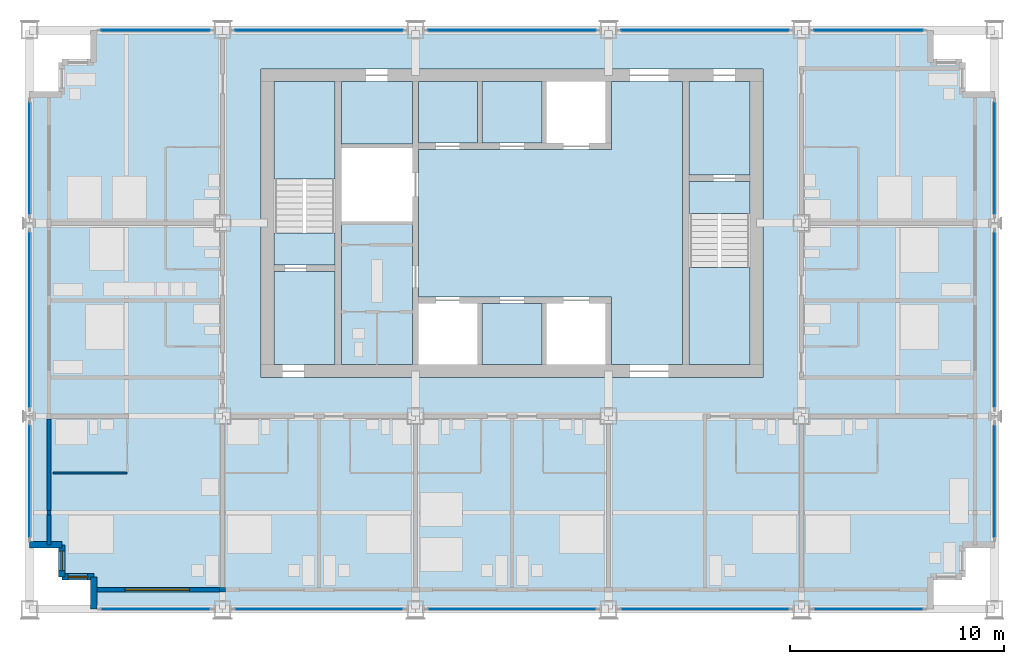
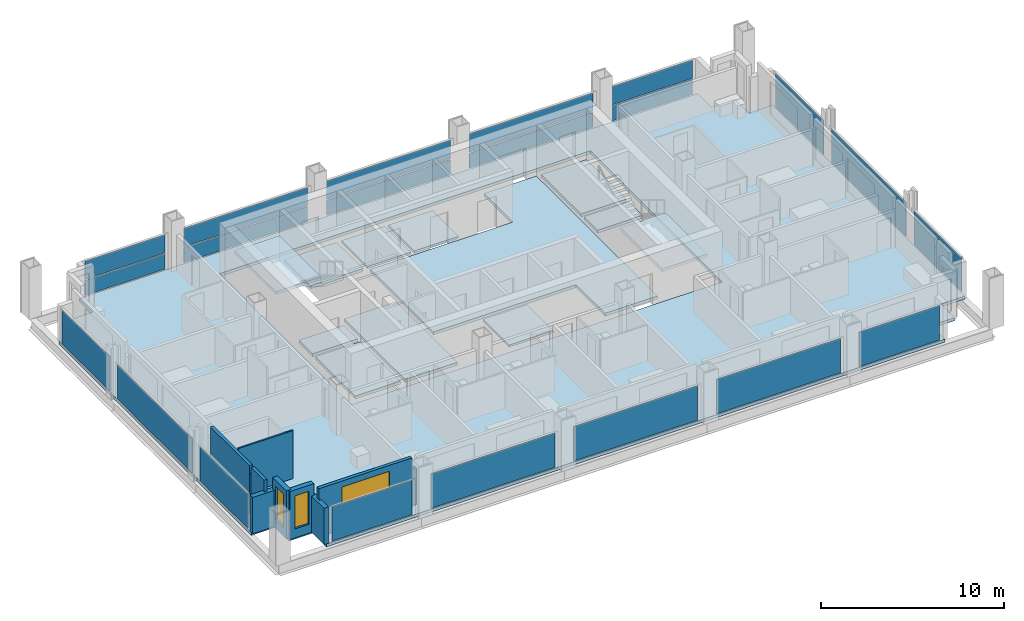
# One storey, part 6 of 14: 21 plates, 13 slabs, 10 walls, 3 windows, 3 openings, 18 elements without a shape of their own.
"""IFC4 building model written with IfcOpenShell, lengths in metres."""

from ifc_helpers import new_model, si_unit, direction, frame, frame_2d, origin, origin_2d, place, context, subcontext, project, spatial, polyline, rectangle, outline, extrude, material, layer, layer_set, type_object, element, fill, aggregate, save


model = new_model("IFC4")

# Units and contexts
model_context = context("Model", 3, precision=1e-05, world=origin(), true_north=direction((0.0, 1.0)))
body_context = subcontext(model_context, "Body", "Model", "MODEL_VIEW")
ifc_project = project(units=[si_unit("LENGTHUNIT", "METRE"), si_unit("AREAUNIT", "SQUARE_METRE"), si_unit("VOLUMEUNIT", "CUBIC_METRE"), si_unit("PLANEANGLEUNIT", "RADIAN"), si_unit("MASSUNIT", "GRAM", prefix="KILO")], contexts=[model_context])

# Site, building, storey
site_placement = place(None, origin())
site = spatial("IfcSite", under=ifc_project, at=site_placement, CompositionType="ELEMENT")
building_placement = place(site_placement, origin())
building = spatial("IfcBuilding", under=site, at=building_placement, Name="Loomwork Tower", CompositionType="ELEMENT")
storey_placement = place(building_placement, frame((0.0, 0.0, 170.60009765625)))
storey = spatial("IfcBuildingStorey", under=building, at=storey_placement, Name="L46", CompositionType="ELEMENT", Elevation=170.60009765625)

# Slabs
ifc_material_1 = material(Name="Concrete 5000 psi (34 MPa) on composite metal deck", Category="concrete")
ifc_layer_1 = layer(ifc_material_1, 0.199951171875)
ifc_layer_set_1 = layer_set([ifc_layer_1], Name="Floor slab 200")
slab_type_1 = type_object("IfcSlabType", Name="Floor slab 200", PredefinedType="FLOOR", material=ifc_layer_set_1)
slab_1_placement = place(storey_placement, frame((0.0, 0.0, -0.2001953125)))
element("IfcSlab", 1, at=slab_1_placement, inside=storey, type_object=slab_type_1, Name="Floor slab L46", PredefinedType="FLOOR", context=body_context, shape_type="SweptSolid", body=[
    extrude(outline(polyline([(3.0, 1.5), (1.5, 1.5), (1.5, 3.0), (0.0, 3.0), (0.0, 24.0), (1.5, 24.0), (1.5, 25.5), (3.0, 25.5), (3.0, 27.0), (42.0, 27.0), (42.0, 25.5), (43.5, 25.5), (43.5, 24.0), (45.0, 24.0), (45.0, 3.0), (43.5, 3.0), (43.5, 1.5), (42.0, 1.5), (42.0, 0.0), (3.0, 0.0), (3.0, 1.5)]), holes=[polyline([(10.800048828125, 11.39990234375), (10.800048828125, 11.39990234375), (10.800048828125, 10.800048828125), (34.199951171875, 10.800048828125), (34.199951171875, 11.39990234375), (34.199951171875, 11.39990234375), (34.199951171875, 24.60009765625), (34.199951171875, 25.199951171875), (10.800048828125, 25.199951171875), (10.800048828125, 24.60009765625), (10.800048828125, 11.39990234375)])]), origin(), (0.0, 0.0, 1.0), 0.2001953125),
])
slab_2_placement = place(storey_placement, frame((0.0, 0.0, -0.2001953125)))
element("IfcSlab", 2, at=slab_2_placement, inside=storey, type_object=slab_type_1, Name="Floor slab L46", PredefinedType="FLOOR", context=body_context, shape_type="SweptSolid", body=[
    extrude(outline(polyline([(30.449951171875, 24.60009765625), (30.449951171875, 11.39990234375), (27.14990234375, 11.39990234375), (27.14990234375, 14.25), (27.14990234375, 14.550048828125), (18.14990234375, 14.550048828125), (18.14990234375, 21.449951171875), (27.14990234375, 21.449951171875), (27.14990234375, 21.75), (27.14990234375, 24.60009765625), (30.449951171875, 24.60009765625)])), origin(), (0.0, 0.0, 1.0), 0.2001953125),
])
slab_3_placement = place(storey_placement, frame((0.0, 0.0, -0.2001953125)))
element("IfcSlab", 3, at=slab_3_placement, inside=storey, type_object=slab_type_1, Name="Floor slab L46", PredefinedType="FLOOR", context=body_context, shape_type="SweptSolid", body=[
    extrude(outline(polyline([(14.550048828125, 11.39990234375), (14.550048828125, 18.074951171875), (17.85009765625, 18.074951171875), (17.85009765625, 11.39990234375), (14.550048828125, 11.39990234375)])), origin(), (0.0, 0.0, 1.0), 0.2001953125),
])
slab_4_placement = place(storey_placement, frame((0.0, 0.0, -0.2001953125)))
element("IfcSlab", 4, at=slab_4_placement, inside=storey, type_object=slab_type_1, Name="Floor slab L46", PredefinedType="FLOOR", context=body_context, shape_type="SweptSolid", body=[
    extrude(outline(polyline([(33.60009765625, 20.25), (30.75, 20.25), (30.75, 24.60009765625), (33.60009765625, 24.60009765625), (33.60009765625, 20.25)])), origin(), (0.0, 0.0, 1.0), 0.2001953125),
])
slab_5_placement = place(storey_placement, frame((0.0, 0.0, -0.2001953125)))
element("IfcSlab", 5, at=slab_5_placement, inside=storey, type_object=slab_type_1, Name="Floor slab L46", PredefinedType="FLOOR", context=body_context, shape_type="SweptSolid", body=[
    extrude(outline(polyline([(14.25, 15.75), (14.25, 11.39990234375), (11.39990234375, 11.39990234375), (11.39990234375, 15.75), (14.25, 15.75)])), origin(), (0.0, 0.0, 1.0), 0.2001953125),
])
slab_6_placement = place(storey_placement, frame((0.0, 0.0, -0.2001953125)))
element("IfcSlab", 6, at=slab_6_placement, inside=storey, type_object=slab_type_1, Name="Floor slab L46", PredefinedType="FLOOR", context=body_context, shape_type="SweptSolid", body=[
    extrude(outline(polyline([(14.550048828125, 21.699951171875), (14.550048828125, 24.60009765625), (17.85009765625, 24.60009765625), (17.85009765625, 21.699951171875), (14.550048828125, 21.699951171875)])), origin(), (0.0, 0.0, 1.0), 0.2001953125),
])

# Curtain wall, plate
ifc_material_2 = material(Name="Aluminium curtain wall frame", Category="aluminium")
curtain_wall_type_1 = type_object("IfcCurtainWallType", Name="Outer skin glazing hotel", PredefinedType="NOTDEFINED", material=ifc_material_2)
curtain_wall_1_placement = place(storey_placement, origin())
curtain_wall_1 = element("IfcCurtainWall", 7, at=curtain_wall_1_placement, inside=storey, type_object=curtain_wall_type_1, Name="Outer skin glazing hotel cw/S-0", PredefinedType="NOTDEFINED")
ifc_material_3 = material(Name="Clear laminated glass", Category="glass")
ifc_layer_2 = layer(ifc_material_3, 0.02392578125)
ifc_layer_set_2 = layer_set([ifc_layer_2], Name="Outer skin glazing hotel panel")
plate_type_1 = type_object("IfcPlateType", Name="Outer skin glazing hotel panel", PredefinedType="CURTAIN_PANEL", material=ifc_layer_set_2)
plate_1_placement = place(storey_placement, frame((5.875, 0.0, 0.06494140625), z_axis=(0.0, 0.0, 1.0), x_axis=(1.0, 0.0, 0.0)))
plate_1 = element("IfcPlate", 8, at=plate_1_placement, type_object=plate_type_1, Name="CW1 panel 1.1", PredefinedType="CURTAIN_PANEL", context=body_context, shape_type="SweptSolid", body=[
    extrude(rectangle(XDim=5.050048828125, YDim=0.02392578125, at=origin_2d()), origin(), (0.0, 0.0, 1.0), 2.290283203125),
])
aggregate(curtain_wall_1, [plate_1])

curtain_wall_2_placement = place(storey_placement, origin())
curtain_wall_2 = element("IfcCurtainWall", 9, at=curtain_wall_2_placement, inside=storey, type_object=curtain_wall_type_1, Name="Outer skin glazing hotel cw/S-9", PredefinedType="NOTDEFINED")
plate_2_placement = place(storey_placement, frame((13.5, 0.0, 0.06494140625), z_axis=(0.0, 0.0, 1.0), x_axis=(1.0, 0.0, 0.0)))
plate_2 = element("IfcPlate", 10, at=plate_2_placement, type_object=plate_type_1, Name="CW1 panel 1.1", PredefinedType="CURTAIN_PANEL", context=body_context, shape_type="SweptSolid", body=[
    extrude(rectangle(XDim=7.800048828125, YDim=0.02392578125, at=origin_2d()), origin(), (0.0, 0.0, 1.0), 2.290283203125),
])
aggregate(curtain_wall_2, [plate_2])

curtain_wall_3_placement = place(storey_placement, origin())
curtain_wall_3 = element("IfcCurtainWall", 11, at=curtain_wall_3_placement, inside=storey, type_object=curtain_wall_type_1, Name="Outer skin glazing hotel cw/S-18", PredefinedType="NOTDEFINED")
plate_3_placement = place(storey_placement, frame((22.5, 0.0, 0.06494140625), z_axis=(0.0, 0.0, 1.0), x_axis=(1.0, 0.0, 0.0)))
plate_3 = element("IfcPlate", 12, at=plate_3_placement, type_object=plate_type_1, Name="CW1 panel 1.1", PredefinedType="CURTAIN_PANEL", context=body_context, shape_type="SweptSolid", body=[
    extrude(rectangle(XDim=7.800048828125, YDim=0.02392578125, at=origin_2d()), origin(), (0.0, 0.0, 1.0), 2.290283203125),
])
aggregate(curtain_wall_3, [plate_3])

curtain_wall_4_placement = place(storey_placement, origin())
curtain_wall_4 = element("IfcCurtainWall", 13, at=curtain_wall_4_placement, inside=storey, type_object=curtain_wall_type_1, Name="Outer skin glazing hotel cw/S-27", PredefinedType="NOTDEFINED")
plate_4_placement = place(storey_placement, frame((31.5, 0.0, 0.06494140625), z_axis=(0.0, 0.0, 1.0), x_axis=(1.0, 0.0, 0.0)))
plate_4 = element("IfcPlate", 14, at=plate_4_placement, type_object=plate_type_1, Name="CW1 panel 1.1", PredefinedType="CURTAIN_PANEL", context=body_context, shape_type="SweptSolid", body=[
    extrude(rectangle(XDim=7.800048828125, YDim=0.02392578125, at=origin_2d()), origin(), (0.0, 0.0, 1.0), 2.290283203125),
])
aggregate(curtain_wall_4, [plate_4])

curtain_wall_5_placement = place(storey_placement, origin())
curtain_wall_5 = element("IfcCurtainWall", 15, at=curtain_wall_5_placement, inside=storey, type_object=curtain_wall_type_1, Name="Outer skin glazing hotel cw/S-36", PredefinedType="NOTDEFINED")
plate_5_placement = place(storey_placement, frame((39.125, 0.0, 0.06494140625), z_axis=(0.0, 0.0, 1.0), x_axis=(1.0, 0.0, 0.0)))
plate_5 = element("IfcPlate", 16, at=plate_5_placement, type_object=plate_type_1, Name="CW1 panel 1.1", PredefinedType="CURTAIN_PANEL", context=body_context, shape_type="SweptSolid", body=[
    extrude(rectangle(XDim=5.050048828125, YDim=0.02392578125, at=origin_2d()), origin(), (0.0, 0.0, 1.0), 2.290283203125),
])
aggregate(curtain_wall_5, [plate_5])

curtain_wall_6_placement = place(storey_placement, origin())
curtain_wall_6 = element("IfcCurtainWall", 17, at=curtain_wall_6_placement, inside=storey, type_object=curtain_wall_type_1, Name="Outer skin glazing hotel cw/W-0", PredefinedType="NOTDEFINED")
plate_6_placement = place(storey_placement, frame((0.0, 5.962646484375, 0.06494140625), z_axis=(0.0, 0.0, 1.0), x_axis=(0.0, -1.0, 0.0)))
plate_6 = element("IfcPlate", 18, at=plate_6_placement, type_object=plate_type_1, Name="CW1 panel 1.1", PredefinedType="CURTAIN_PANEL", context=body_context, shape_type="SweptSolid", body=[
    extrude(rectangle(XDim=5.22509765625, YDim=0.02392578125, at=origin_2d()), origin(), (0.0, 0.0, 1.0), 2.290283203125),
])
aggregate(curtain_wall_6, [plate_6])

curtain_wall_7_placement = place(storey_placement, origin())
curtain_wall_7 = element("IfcCurtainWall", 19, at=curtain_wall_7_placement, inside=storey, type_object=curtain_wall_type_1, Name="Outer skin glazing hotel cw/W-9", PredefinedType="NOTDEFINED")
plate_7_placement = place(storey_placement, frame((0.0, 13.5, 0.06494140625), z_axis=(0.0, 0.0, 1.0), x_axis=(0.0, -1.0, 0.0)))
plate_7 = element("IfcPlate", 20, at=plate_7_placement, type_object=plate_type_1, Name="CW1 panel 1.1", PredefinedType="CURTAIN_PANEL", context=body_context, shape_type="SweptSolid", body=[
    extrude(rectangle(XDim=8.150390625, YDim=0.02392578125, at=origin_2d()), origin(), (0.0, 0.0, 1.0), 2.290283203125),
])
aggregate(curtain_wall_7, [plate_7])

curtain_wall_8_placement = place(storey_placement, origin())
curtain_wall_8 = element("IfcCurtainWall", 21, at=curtain_wall_8_placement, inside=storey, type_object=curtain_wall_type_1, Name="Outer skin glazing hotel cw/W-18", PredefinedType="NOTDEFINED")
plate_8_placement = place(storey_placement, frame((0.0, 21.037353515625, 0.06494140625), z_axis=(0.0, 0.0, 1.0), x_axis=(0.0, -1.0, 0.0)))
plate_8 = element("IfcPlate", 22, at=plate_8_placement, type_object=plate_type_1, Name="CW1 panel 1.1", PredefinedType="CURTAIN_PANEL", context=body_context, shape_type="SweptSolid", body=[
    extrude(rectangle(XDim=5.22509765625, YDim=0.02392578125, at=origin_2d()), origin(), (0.0, 0.0, 1.0), 2.290283203125),
])
aggregate(curtain_wall_8, [plate_8])

curtain_wall_9_placement = place(storey_placement, origin())
curtain_wall_9 = element("IfcCurtainWall", 23, at=curtain_wall_9_placement, inside=storey, type_object=curtain_wall_type_1, Name="Outer skin glazing hotel cw/E-0", PredefinedType="NOTDEFINED")
plate_9_placement = place(storey_placement, frame((45.0, 5.962646484375, 0.06494140625), z_axis=(0.0, 0.0, 1.0), x_axis=(0.0, 1.0, 0.0)))
plate_9 = element("IfcPlate", 24, at=plate_9_placement, type_object=plate_type_1, Name="CW1 panel 1.1", PredefinedType="CURTAIN_PANEL", context=body_context, shape_type="SweptSolid", body=[
    extrude(rectangle(XDim=5.22509765625, YDim=0.02392578125, at=origin_2d()), origin(), (0.0, 0.0, 1.0), 2.290283203125),
])
aggregate(curtain_wall_9, [plate_9])

curtain_wall_10_placement = place(storey_placement, origin())
curtain_wall_10 = element("IfcCurtainWall", 25, at=curtain_wall_10_placement, inside=storey, type_object=curtain_wall_type_1, Name="Outer skin glazing hotel cw/E-9", PredefinedType="NOTDEFINED")
plate_10_placement = place(storey_placement, frame((45.0, 13.5, 0.06494140625), z_axis=(0.0, 0.0, 1.0), x_axis=(0.0, 1.0, 0.0)))
plate_10 = element("IfcPlate", 26, at=plate_10_placement, type_object=plate_type_1, Name="CW1 panel 1.1", PredefinedType="CURTAIN_PANEL", context=body_context, shape_type="SweptSolid", body=[
    extrude(rectangle(XDim=8.150390625, YDim=0.02392578125, at=origin_2d()), origin(), (0.0, 0.0, 1.0), 2.290283203125),
])
aggregate(curtain_wall_10, [plate_10])

curtain_wall_11_placement = place(storey_placement, origin())
curtain_wall_11 = element("IfcCurtainWall", 27, at=curtain_wall_11_placement, inside=storey, type_object=curtain_wall_type_1, Name="Outer skin glazing hotel cw/E-18", PredefinedType="NOTDEFINED")
plate_11_placement = place(storey_placement, frame((45.0, 21.037353515625, 0.06494140625), z_axis=(0.0, 0.0, 1.0), x_axis=(0.0, 1.0, 0.0)))
plate_11 = element("IfcPlate", 28, at=plate_11_placement, type_object=plate_type_1, Name="CW1 panel 1.1", PredefinedType="CURTAIN_PANEL", context=body_context, shape_type="SweptSolid", body=[
    extrude(rectangle(XDim=5.22509765625, YDim=0.02392578125, at=origin_2d()), origin(), (0.0, 0.0, 1.0), 2.290283203125),
])
aggregate(curtain_wall_11, [plate_11])

# Slabs
ifc_material_4 = material(Name="Concrete 5000 psi (34 MPa) on composite metal deck", Category="concrete")
ifc_layer_3 = layer(ifc_material_4, 0.14990234375)
ifc_layer_set_3 = layer_set([ifc_layer_3], Name="Shaft infill floor 150")
slab_type_2 = type_object("IfcSlabType", Name="Shaft infill floor 150", PredefinedType="FLOOR", material=ifc_layer_set_3)
slab_7_placement = place(storey_placement, frame((0.0, 0.0, -0.150146484375)))
element("IfcSlab", 29, at=slab_7_placement, inside=storey, type_object=slab_type_2, Name="Shaft infill floor LS1 L46", PredefinedType="FLOOR", context=body_context, shape_type="SweptSolid", body=[
    extrude(outline(polyline([(18.14990234375, 21.75), (20.89990234375, 21.75), (20.89990234375, 24.60009765625), (18.14990234375, 24.60009765625), (18.14990234375, 21.75)])), origin(), (0.0, 0.0, 1.0), 0.150146484375),
])
slab_8_placement = place(storey_placement, frame((0.0, 0.0, -0.150146484375)))
element("IfcSlab", 30, at=slab_8_placement, inside=storey, type_object=slab_type_2, Name="Shaft infill floor LS2 L46", PredefinedType="FLOOR", context=body_context, shape_type="SweptSolid", body=[
    extrude(outline(polyline([(21.10009765625, 21.75), (23.89990234375, 21.75), (23.89990234375, 24.60009765625), (21.10009765625, 24.60009765625), (21.10009765625, 21.75)])), origin(), (0.0, 0.0, 1.0), 0.150146484375),
])
slab_9_placement = place(storey_placement, frame((0.0, 0.0, -0.150146484375)))
element("IfcSlab", 31, at=slab_9_placement, inside=storey, type_object=slab_type_2, Name="Shaft infill floor S2 L46", PredefinedType="FLOOR", context=body_context, shape_type="SweptSolid", body=[
    extrude(outline(polyline([(21.10009765625, 11.39990234375), (23.89990234375, 11.39990234375), (23.89990234375, 14.25), (21.10009765625, 14.25), (21.10009765625, 11.39990234375)])), origin(), (0.0, 0.0, 1.0), 0.150146484375),
])

# Curtain wall, plates
ifc_material_5 = material(Name="Aluminium curtain wall frame", Category="aluminium")
curtain_wall_type_2 = type_object("IfcCurtainWallType", Name="Single skin glazing corridor", PredefinedType="NOTDEFINED", material=ifc_material_5)
curtain_wall_12_placement = place(storey_placement, origin())
curtain_wall_12 = element("IfcCurtainWall", 32, at=curtain_wall_12_placement, inside=storey, type_object=curtain_wall_type_2, Name="Single skin glazing corridor cw/N-0", PredefinedType="NOTDEFINED")
ifc_material_6 = material(Name="Clear insulated glass", Category="glass")
ifc_layer_4 = layer(ifc_material_6, 0.031982421875)
ifc_layer_set_4 = layer_set([ifc_layer_4], Name="Single skin glazing corridor panel")
plate_type_2 = type_object("IfcPlateType", Name="Single skin glazing corridor panel", PredefinedType="CURTAIN_PANEL", material=ifc_layer_set_4)
plate_12_placement = place(storey_placement, frame((5.875, 27.0, 0.06494140625), z_axis=(0.0, 0.0, 1.0), x_axis=(-1.0, 0.0, 0.0)))
plate_12 = element("IfcPlate", 33, at=plate_12_placement, type_object=plate_type_2, Name="CW3 panel 1.1", PredefinedType="CURTAIN_PANEL", context=body_context, shape_type="SweptSolid", body=[
    extrude(rectangle(XDim=5.050048828125, YDim=0.031982421875, at=origin_2d()), origin(), (0.0, 0.0, 1.0), 1.00244140625),
])
plate_13_placement = place(storey_placement, frame((5.875, 27.0, 1.13232421875), z_axis=(0.0, 0.0, 1.0), x_axis=(-1.0, 0.0, 0.0)))
plate_13 = element("IfcPlate", 34, at=plate_13_placement, type_object=plate_type_2, Name="CW3 panel 1.2", PredefinedType="CURTAIN_PANEL", context=body_context, shape_type="SweptSolid", body=[
    extrude(rectangle(XDim=5.050048828125, YDim=0.031982421875, at=origin_2d()), origin(), (0.0, 0.0, 1.0), 1.22265625),
])
aggregate(curtain_wall_12, [plate_12, plate_13])

curtain_wall_13_placement = place(storey_placement, origin())
curtain_wall_13 = element("IfcCurtainWall", 35, at=curtain_wall_13_placement, inside=storey, type_object=curtain_wall_type_2, Name="Single skin glazing corridor cw/N-9", PredefinedType="NOTDEFINED")
plate_14_placement = place(storey_placement, frame((13.5, 27.0, 0.06494140625), z_axis=(0.0, 0.0, 1.0), x_axis=(-1.0, 0.0, 0.0)))
plate_14 = element("IfcPlate", 36, at=plate_14_placement, type_object=plate_type_2, Name="CW3 panel 1.1", PredefinedType="CURTAIN_PANEL", context=body_context, shape_type="SweptSolid", body=[
    extrude(rectangle(XDim=7.800048828125, YDim=0.031982421875, at=origin_2d()), origin(), (0.0, 0.0, 1.0), 1.00244140625),
])
plate_15_placement = place(storey_placement, frame((13.5, 27.0, 1.13232421875), z_axis=(0.0, 0.0, 1.0), x_axis=(-1.0, 0.0, 0.0)))
plate_15 = element("IfcPlate", 37, at=plate_15_placement, type_object=plate_type_2, Name="CW3 panel 1.2", PredefinedType="CURTAIN_PANEL", context=body_context, shape_type="SweptSolid", body=[
    extrude(rectangle(XDim=7.800048828125, YDim=0.031982421875, at=origin_2d()), origin(), (0.0, 0.0, 1.0), 1.22265625),
])
aggregate(curtain_wall_13, [plate_14, plate_15])

curtain_wall_14_placement = place(storey_placement, origin())
curtain_wall_14 = element("IfcCurtainWall", 38, at=curtain_wall_14_placement, inside=storey, type_object=curtain_wall_type_2, Name="Single skin glazing corridor cw/N-18", PredefinedType="NOTDEFINED")
plate_16_placement = place(storey_placement, frame((22.5, 27.0, 0.06494140625), z_axis=(0.0, 0.0, 1.0), x_axis=(-1.0, 0.0, 0.0)))
plate_16 = element("IfcPlate", 39, at=plate_16_placement, type_object=plate_type_2, Name="CW3 panel 1.1", PredefinedType="CURTAIN_PANEL", context=body_context, shape_type="SweptSolid", body=[
    extrude(rectangle(XDim=7.800048828125, YDim=0.031982421875, at=origin_2d()), origin(), (0.0, 0.0, 1.0), 1.00244140625),
])
plate_17_placement = place(storey_placement, frame((22.5, 27.0, 1.13232421875), z_axis=(0.0, 0.0, 1.0), x_axis=(-1.0, 0.0, 0.0)))
plate_17 = element("IfcPlate", 40, at=plate_17_placement, type_object=plate_type_2, Name="CW3 panel 1.2", PredefinedType="CURTAIN_PANEL", context=body_context, shape_type="SweptSolid", body=[
    extrude(rectangle(XDim=7.800048828125, YDim=0.031982421875, at=origin_2d()), origin(), (0.0, 0.0, 1.0), 1.22265625),
])
aggregate(curtain_wall_14, [plate_16, plate_17])

curtain_wall_15_placement = place(storey_placement, origin())
curtain_wall_15 = element("IfcCurtainWall", 41, at=curtain_wall_15_placement, inside=storey, type_object=curtain_wall_type_2, Name="Single skin glazing corridor cw/N-27", PredefinedType="NOTDEFINED")
plate_18_placement = place(storey_placement, frame((31.5, 27.0, 0.06494140625), z_axis=(0.0, 0.0, 1.0), x_axis=(-1.0, 0.0, 0.0)))
plate_18 = element("IfcPlate", 42, at=plate_18_placement, type_object=plate_type_2, Name="CW3 panel 1.1", PredefinedType="CURTAIN_PANEL", context=body_context, shape_type="SweptSolid", body=[
    extrude(rectangle(XDim=7.800048828125, YDim=0.031982421875, at=origin_2d()), origin(), (0.0, 0.0, 1.0), 1.00244140625),
])
plate_19_placement = place(storey_placement, frame((31.5, 27.0, 1.13232421875), z_axis=(0.0, 0.0, 1.0), x_axis=(-1.0, 0.0, 0.0)))
plate_19 = element("IfcPlate", 43, at=plate_19_placement, type_object=plate_type_2, Name="CW3 panel 1.2", PredefinedType="CURTAIN_PANEL", context=body_context, shape_type="SweptSolid", body=[
    extrude(rectangle(XDim=7.800048828125, YDim=0.031982421875, at=origin_2d()), origin(), (0.0, 0.0, 1.0), 1.22265625),
])
aggregate(curtain_wall_15, [plate_18, plate_19])

curtain_wall_16_placement = place(storey_placement, origin())
curtain_wall_16 = element("IfcCurtainWall", 44, at=curtain_wall_16_placement, inside=storey, type_object=curtain_wall_type_2, Name="Single skin glazing corridor cw/N-36", PredefinedType="NOTDEFINED")
plate_20_placement = place(storey_placement, frame((39.125, 27.0, 0.06494140625), z_axis=(0.0, 0.0, 1.0), x_axis=(-1.0, 0.0, 0.0)))
plate_20 = element("IfcPlate", 45, at=plate_20_placement, type_object=plate_type_2, Name="CW3 panel 1.1", PredefinedType="CURTAIN_PANEL", context=body_context, shape_type="SweptSolid", body=[
    extrude(rectangle(XDim=5.050048828125, YDim=0.031982421875, at=origin_2d()), origin(), (0.0, 0.0, 1.0), 1.00244140625),
])
plate_21_placement = place(storey_placement, frame((39.125, 27.0, 1.13232421875), z_axis=(0.0, 0.0, 1.0), x_axis=(-1.0, 0.0, 0.0)))
plate_21 = element("IfcPlate", 46, at=plate_21_placement, type_object=plate_type_2, Name="CW3 panel 1.2", PredefinedType="CURTAIN_PANEL", context=body_context, shape_type="SweptSolid", body=[
    extrude(rectangle(XDim=5.050048828125, YDim=0.031982421875, at=origin_2d()), origin(), (0.0, 0.0, 1.0), 1.22265625),
])
aggregate(curtain_wall_16, [plate_20, plate_21])

# Stair, slabs
ifc_material_7 = material(Name="Concrete 5000 psi (34 MPa) precast stair", Category="concrete")
stair_type_1 = type_object("IfcStairType", Name="Stair ST-A 20 risers 2850 wide", PredefinedType="HALF_TURN_STAIR", material=ifc_material_7)
stair_1_placement = place(storey_placement, origin())
stair_1 = element("IfcStair", 47, at=stair_1_placement, inside=storey, type_object=stair_type_1, Name="Stair A L46", PredefinedType="HALF_TURN_STAIR")
ifc_material_8 = material(Name="Concrete 5000 psi (34 MPa)", Category="concrete")
ifc_layer_5 = layer(ifc_material_8, 0.199951171875)
ifc_layer_set_5 = layer_set([ifc_layer_5], Name="Stair landing 200")
slab_type_3 = type_object("IfcSlabType", Name="Stair landing 200", PredefinedType="LANDING", material=ifc_layer_set_5)
slab_10_placement = place(storey_placement, frame((0.0, 0.0, -0.2001953125)))
slab_10 = element("IfcSlab", 48, at=slab_10_placement, type_object=slab_type_3, Name="ST-A landing 1", PredefinedType="LANDING", context=body_context, shape_type="SweptSolid", body=[
    extrude(outline(polyline([(11.39990234375, 16.050048828125), (14.25, 16.050048828125), (14.25, 17.550048828125), (11.39990234375, 17.550048828125), (11.39990234375, 16.050048828125)])), origin(), (0.0, 0.0, 1.0), 0.2001953125),
])
slab_11_placement = place(storey_placement, frame((0.0, 0.0, 1.5)))
slab_11 = element("IfcSlab", 49, at=slab_11_placement, type_object=slab_type_3, Name="ST-A landing 2", PredefinedType="LANDING", context=body_context, shape_type="SweptSolid", body=[
    extrude(outline(polyline([(11.39990234375, 20.070068359375), (14.25, 20.070068359375), (14.25, 24.60009765625), (11.39990234375, 24.60009765625), (11.39990234375, 20.070068359375)])), origin(), (0.0, 0.0, 1.0), 0.199951171875),
])
aggregate(stair_1, [slab_10, slab_11])

ifc_material_9 = material(Name="Concrete 5000 psi (34 MPa) precast stair", Category="concrete")
stair_type_2 = type_object("IfcStairType", Name="Stair ST-B 20 risers 2850 wide", PredefinedType="HALF_TURN_STAIR", material=ifc_material_9)
stair_2_placement = place(storey_placement, origin())
stair_2 = element("IfcStair", 50, at=stair_2_placement, inside=storey, type_object=stair_type_2, Name="Stair B L46", PredefinedType="HALF_TURN_STAIR")
slab_12_placement = place(storey_placement, frame((0.0, 0.0, -0.2001953125)))
slab_12 = element("IfcSlab", 51, at=slab_12_placement, type_object=slab_type_3, Name="ST-B landing 1", PredefinedType="LANDING", context=body_context, shape_type="SweptSolid", body=[
    extrude(outline(polyline([(30.75, 18.449951171875), (33.60009765625, 18.449951171875), (33.60009765625, 19.949951171875), (30.75, 19.949951171875), (30.75, 18.449951171875)])), origin(), (0.0, 0.0, 1.0), 0.2001953125),
])
slab_13_placement = place(storey_placement, frame((0.0, 0.0, 1.5)))
slab_13 = element("IfcSlab", 52, at=slab_13_placement, type_object=slab_type_3, Name="ST-B landing 2", PredefinedType="LANDING", context=body_context, shape_type="SweptSolid", body=[
    extrude(outline(polyline([(30.75, 11.39990234375), (33.60009765625, 11.39990234375), (33.60009765625, 15.929931640625), (30.75, 15.929931640625), (30.75, 11.39990234375)])), origin(), (0.0, 0.0, 1.0), 0.199951171875),
])
aggregate(stair_2, [slab_12, slab_13])

# Wall
ifc_material_10 = material(Name="Cement board on steel studs", Category="steel")
ifc_layer_6 = layer(ifc_material_10, 0.10009765625)
ifc_layer_set_6 = layer_set([ifc_layer_6], Name="En-suite partition 100")
wall_type_1 = type_object("IfcWallType", Name="En-suite partition 100", PredefinedType="PARTITIONING", material=ifc_layer_set_6)
wall_1_placement = place(storey_placement, frame((1.10009765625, 6.35009765625, 0.0), z_axis=(0.0, 0.0, 1.0), x_axis=(1.0, 0.0, 0.0)))
element("IfcWall", 53, at=wall_1_placement, inside=storey, type_object=wall_type_1, Name="En-suite wall L46 room 1", PredefinedType="PARTITIONING", context=body_context, shape_type="SweptSolid", body=[
    extrude(rectangle(XDim=3.449951171875, YDim=0.10009765625, at=frame_2d((1.72509765625, 0.0))), origin(), (0.0, 0.0, 1.0), 3.199951171875),
])

# Wall, opening, window
ifc_material_11 = material(Name="Insulated steel stud wall with gypsum lining", Category="steel")
ifc_layer_7 = layer(ifc_material_11, 0.199951171875)
ifc_layer_set_7 = layer_set([ifc_layer_7], Name="Inner skin wall 200")
wall_type_2 = type_object("IfcWallType", Name="Inner skin wall 200", PredefinedType="SOLIDWALL", material=ifc_layer_set_7)
wall_2_placement = place(storey_placement, frame((3.0, 0.89990234375, 0.0), z_axis=(0.0, 0.0, 1.0), x_axis=(1.0, 0.0, 0.0)))
wall_2 = element("IfcWall", 54, at=wall_2_placement, inside=storey, type_object=wall_type_2, Name="Inner skin wall S", PredefinedType="SOLIDWALL", context=body_context, shape_type="SweptSolid", body=[
    extrude(rectangle(XDim=5.86474609375, YDim=0.199951171875, at=frame_2d((2.932373046875, 0.0))), origin(), (0.0, 0.0, 1.0), 3.199951171875),
])
opening_1_placement = place(wall_2_placement, frame((1.449951171875, 0.0, 0.60009765625)))
opening_1 = element("IfcOpeningElement", 55, at=opening_1_placement, cuts=wall_2, Name="Opening CH1", PredefinedType="OPENING", context=body_context, shape_type="SweptSolid", body=[
    extrude(rectangle(XDim=3.0, YDim=2.199951171875, at=frame_2d((1.5, 1.10009765625))), frame((0.0, 0.10986328125, 0.0), z_axis=(0.0, -1.0, 0.0), x_axis=(1.0, 0.0, 0.0)), (0.0, 0.0, 1.0), 0.219970703125),
])
ifc_material_12 = material(Name="Aluminium frame with clear insulated glass", Category="aluminium")
window_type_1 = type_object("IfcWindowType", Name="Chicago window 3000", PartitioningType="TRIPLE_PANEL_VERTICAL", PredefinedType="WINDOW", material=ifc_material_12)
window_1_placement = place(opening_1_placement, origin())
window_1 = element("IfcWindow", 56, at=window_1_placement, inside=storey, type_object=window_type_1, Name="Chicago window L46 bay 1", OverallHeight=2.199951171875, OverallWidth=3.0, PartitioningType="TRIPLE_PANEL_VERTICAL", PredefinedType="WINDOW", context=body_context, shape_type="SweptSolid", body=[
    extrude(rectangle(XDim=3.0, YDim=2.199951171875, at=frame_2d((1.5, 1.10009765625))), frame((0.0, 0.030029296875, 0.0), z_axis=(0.0, -1.0, 0.0), x_axis=(1.0, 0.0, 0.0)), (0.0, 0.0, 1.0), 0.06005859375),
])
fill(opening_1, window_1)

# Walls
wall_3_placement = place(storey_placement, frame((0.89990234375, 3.0, 0.0), z_axis=(0.0, 0.0, 1.0), x_axis=(0.0, 1.0, 0.0)))
element("IfcWall", 57, at=wall_3_placement, inside=storey, type_object=wall_type_2, Name="Inner skin wall W", PredefinedType="SOLIDWALL", context=body_context, shape_type="SweptSolid", body=[
    extrude(rectangle(XDim=1.392578125, YDim=0.199951171875, at=frame_2d((0.6962890625, 0.0))), origin(), (0.0, 0.0, 1.0), 3.199951171875),
])
wall_4_placement = place(storey_placement, frame((8.86474609375, 0.89990234375, 0.0), z_axis=(0.0, 0.0, 1.0), x_axis=(1.0, 0.0, 0.0)))
element("IfcWall", 58, at=wall_4_placement, inside=storey, type_object=wall_type_2, Name="Inner skin wall S bay 2", PredefinedType="SOLIDWALL", context=body_context, shape_type="SweptSolid", body=[
    extrude(rectangle(XDim=0.2705078125, YDim=0.199951171875, at=frame_2d((0.13525390625, 0.0))), origin(), (0.0, 0.0, 1.0), 2.43798828125),
])
wall_5_placement = place(storey_placement, frame((0.89990234375, 4.392578125, 0.0), z_axis=(0.0, 0.0, 1.0), x_axis=(0.0, 1.0, 0.0)))
element("IfcWall", 59, at=wall_5_placement, inside=storey, type_object=wall_type_2, Name="Inner skin wall W bay 2", PredefinedType="SOLIDWALL", context=body_context, shape_type="SweptSolid", body=[
    extrude(rectangle(XDim=0.21484375, YDim=0.199951171875, at=frame_2d((0.107421875, 0.0))), origin(), (0.0, 0.0, 1.0), 2.660888671875),
])
wall_6_placement = place(storey_placement, frame((0.89990234375, 4.607421875, 0.0), z_axis=(0.0, 0.0, 1.0), x_axis=(0.0, 1.0, 0.0)))
element("IfcWall", 60, at=wall_6_placement, inside=storey, type_object=wall_type_2, Name="Inner skin wall W bay 3", PredefinedType="SOLIDWALL", context=body_context, shape_type="SweptSolid", body=[
    extrude(rectangle(XDim=4.25732421875, YDim=0.199951171875, at=frame_2d((2.128662109375, 0.0))), origin(), (0.0, 0.0, 1.0), 3.199951171875),
])
ifc_material_13 = material(Name="Limestone on concrete masonry", Category="masonry")
ifc_layer_8 = layer(ifc_material_13, 0.300048828125)
ifc_layer_set_8 = layer_set([ifc_layer_8], Name="Limestone corner wall 300")
wall_type_3 = type_object("IfcWallType", Name="Limestone corner wall 300", PredefinedType="SOLIDWALL", material=ifc_layer_set_8)
wall_7_placement = place(storey_placement, frame((0.0, 3.0, 0.0), z_axis=(0.0, 0.0, 1.0), x_axis=(1.0, 0.0, 0.0)))
element("IfcWall", 61, at=wall_7_placement, inside=storey, type_object=wall_type_3, Name="Stone corner wall SW 1", PredefinedType="SOLIDWALL", context=body_context, shape_type="SweptSolid", body=[
    extrude(rectangle(XDim=1.5, YDim=0.300048828125, at=frame_2d((0.75, 0.0))), origin(), (0.0, 0.0, 1.0), 2.419921875),
])

# Wall, opening, window
wall_8_placement = place(storey_placement, frame((1.5, 3.0, 0.0), z_axis=(0.0, 0.0, 1.0), x_axis=(0.0, -1.0, 0.0)))
wall_8 = element("IfcWall", 62, at=wall_8_placement, inside=storey, type_object=wall_type_3, Name="Stone corner wall SW 2", PredefinedType="SOLIDWALL", context=body_context, shape_type="SweptSolid", body=[
    extrude(rectangle(XDim=1.5, YDim=0.300048828125, at=frame_2d((0.75, 0.0))), origin(), (0.0, 0.0, 1.0), 3.199951171875),
])
opening_2_placement = place(wall_8_placement, frame((0.300048828125, 0.0, 0.60009765625)))
opening_2 = element("IfcOpeningElement", 63, at=opening_2_placement, cuts=wall_8, Name="Opening CH2", PredefinedType="OPENING", context=body_context, shape_type="SweptSolid", body=[
    extrude(rectangle(XDim=0.89990234375, YDim=2.199951171875, at=frame_2d((0.449951171875, 1.10009765625))), frame((0.0, 0.159912109375, 0.0), z_axis=(0.0, -1.0, 0.0), x_axis=(1.0, 0.0, 0.0)), (0.0, 0.0, 1.0), 0.320068359375),
])
ifc_material_14 = material(Name="Aluminium frame with clear insulated glass", Category="aluminium")
window_type_2 = type_object("IfcWindowType", Name="Corner window 900", PartitioningType="SINGLE_PANEL", PredefinedType="WINDOW", material=ifc_material_14)
window_2_placement = place(opening_2_placement, origin())
window_2 = element("IfcWindow", 64, at=window_2_placement, inside=storey, type_object=window_type_2, Name="Corner window SW", OverallHeight=2.199951171875, OverallWidth=0.89990234375, PartitioningType="SINGLE_PANEL", PredefinedType="WINDOW", context=body_context, shape_type="SweptSolid", body=[
    extrude(rectangle(XDim=0.89990234375, YDim=2.199951171875, at=frame_2d((0.449951171875, 1.10009765625))), frame((0.0, 0.030029296875, 0.0), z_axis=(0.0, -1.0, 0.0), x_axis=(1.0, 0.0, 0.0)), (0.0, 0.0, 1.0), 0.06005859375),
])
fill(opening_2, window_2)

wall_9_placement = place(storey_placement, frame((1.5, 1.5, 0.0), z_axis=(0.0, 0.0, 1.0), x_axis=(1.0, 0.0, 0.0)))
wall_9 = element("IfcWall", 65, at=wall_9_placement, inside=storey, type_object=wall_type_3, Name="Stone corner wall SW 3", PredefinedType="SOLIDWALL", context=body_context, shape_type="SweptSolid", body=[
    extrude(rectangle(XDim=1.5, YDim=0.300048828125, at=frame_2d((0.75, 0.0))), origin(), (0.0, 0.0, 1.0), 3.199951171875),
])
opening_3_placement = place(wall_9_placement, frame((0.300048828125, 0.0, 0.60009765625)))
opening_3 = element("IfcOpeningElement", 66, at=opening_3_placement, cuts=wall_9, Name="Opening CH2", PredefinedType="OPENING", context=body_context, shape_type="SweptSolid", body=[
    extrude(rectangle(XDim=0.89990234375, YDim=2.199951171875, at=frame_2d((0.449951171875, 1.10009765625))), frame((0.0, 0.159912109375, 0.0), z_axis=(0.0, -1.0, 0.0), x_axis=(1.0, 0.0, 0.0)), (0.0, 0.0, 1.0), 0.320068359375),
])
window_3_placement = place(opening_3_placement, origin())
window_3 = element("IfcWindow", 67, at=window_3_placement, inside=storey, type_object=window_type_2, Name="Corner window SW", OverallHeight=2.199951171875, OverallWidth=0.89990234375, PartitioningType="SINGLE_PANEL", PredefinedType="WINDOW", context=body_context, shape_type="SweptSolid", body=[
    extrude(rectangle(XDim=0.89990234375, YDim=2.199951171875, at=frame_2d((0.449951171875, 1.10009765625))), frame((0.0, 0.030029296875, 0.0), z_axis=(0.0, -1.0, 0.0), x_axis=(1.0, 0.0, 0.0)), (0.0, 0.0, 1.0), 0.06005859375),
])
fill(opening_3, window_3)

# Wall
wall_10_placement = place(storey_placement, frame((3.0, 1.5, 0.0), z_axis=(0.0, 0.0, 1.0), x_axis=(0.0, -1.0, 0.0)))
element("IfcWall", 68, at=wall_10_placement, inside=storey, type_object=wall_type_3, Name="Stone corner wall SW 4", PredefinedType="SOLIDWALL", context=body_context, shape_type="SweptSolid", body=[
    extrude(rectangle(XDim=1.5, YDim=0.300048828125, at=frame_2d((0.75, 0.0))), origin(), (0.0, 0.0, 1.0), 2.419921875),
])

save(model, "model.ifc")
